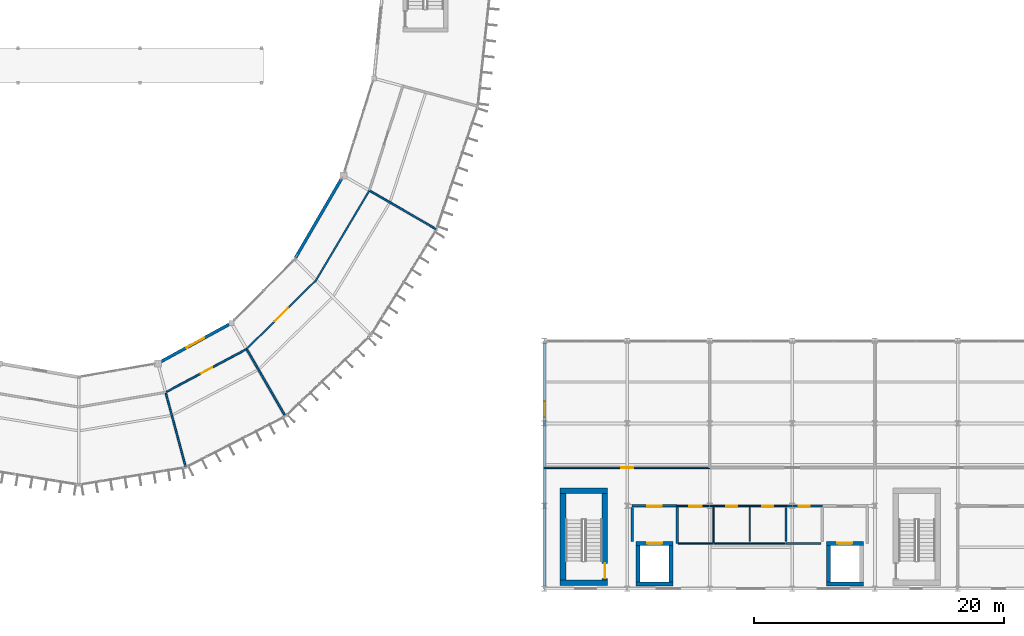
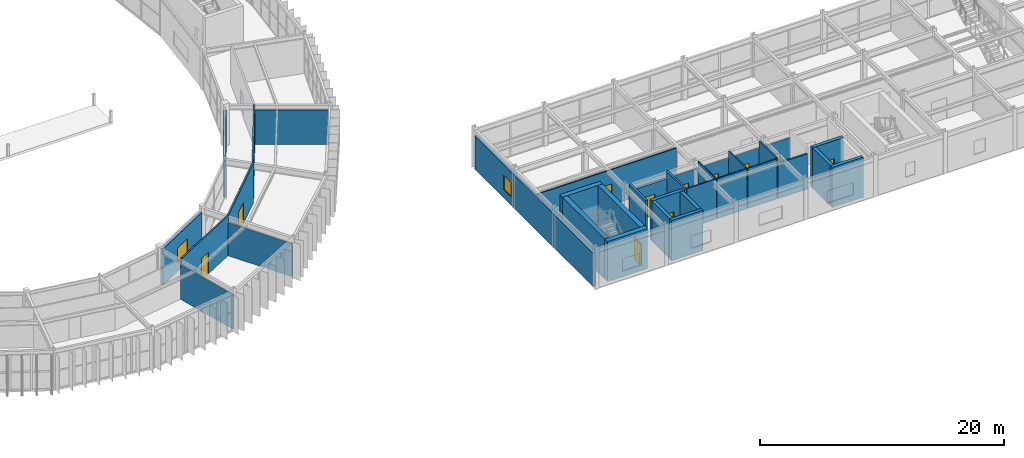
# One storey, part 139 of 157: 35 walls, 11 doors, 2 windows, 13 openings.
"""IFC4 building model written with IfcOpenShell, lengths in metres."""

from ifc_helpers import new_model, si_unit, direction, frame, frame_2d, origin, place, context, subcontext, project, spatial, rectangle, extrude, material, layer, layer_set, type_object, element, fill, save


model = new_model("IFC4")

# Units and contexts
model_context = context("Model", 3, precision=1e-05, world=origin(), true_north=direction((0.0, 1.0)))
body_context = subcontext(model_context, "Body", "Model", "MODEL_VIEW")
ifc_project = project(units=[si_unit("LENGTHUNIT", "METRE"), si_unit("AREAUNIT", "SQUARE_METRE"), si_unit("VOLUMEUNIT", "CUBIC_METRE"), si_unit("PLANEANGLEUNIT", "RADIAN"), si_unit("MASSUNIT", "GRAM", prefix="KILO")], contexts=[model_context])

# Site, building, storey
site_placement = place(None, origin())
site = spatial("IfcSite", under=ifc_project, at=site_placement, CompositionType="ELEMENT")
building_placement = place(site_placement, origin())
building = spatial("IfcBuilding", under=site, at=building_placement, Name="Karori Crest Natural Sciences Institute", CompositionType="ELEMENT")
storey_placement = place(building_placement, frame((0.0, 0.0, 13.300048828125)))
storey = spatial("IfcBuildingStorey", under=building, at=storey_placement, Name="L03", CompositionType="ELEMENT", Elevation=13.300048828125)

# Walls
ifc_material_1 = material(Name="Concrete 50 MPa", Category="concrete")
ifc_layer_1 = layer(ifc_material_1, 0.449951171875, Name="Concrete 50 MPa")
ifc_layer_set_1 = layer_set([ifc_layer_1], Name="Concrete 50 MPa")
wall_type_1 = type_object("IfcWallType", Name="IWT-01", PredefinedType="SHEAR", material=ifc_layer_set_1)
for number, where, z_axis, x_axis, name in (
    (1, (104.85009765625, 1.27490234375, 0.0), (0.0, 0.0, 1.0), (1.0, 0.0, 0.0), "Shear wall IW-0085"),
    (2, (104.85009765625, 8.625, 0.0), (0.0, 0.0, 1.0), (1.0, 0.0, 0.0), "Shear wall IW-0086"),
):
    element("IfcWall", number, at=place(storey_placement, frame(where, z_axis=z_axis, x_axis=x_axis)), inside=storey, type_object=wall_type_1, Name=name, PredefinedType="SHEAR", context=body_context, shape_type="SweptSolid", body=[
        extrude(rectangle(XDim=3.7998046875, YDim=0.449951171875, at=frame_2d((1.89990234375, 0.0))), origin(), (0.0, 0.0, 1.0), 4.02001953125),
    ])
wall_1_placement = place(storey_placement, frame((105.074951171875, 1.501953125, 0.0), z_axis=(0.0, 0.0, 1.0), x_axis=(0.0, 1.0, 0.0)))
element("IfcWall", 3, at=wall_1_placement, inside=storey, type_object=wall_type_1, Name="Shear wall IW-0087", PredefinedType="SHEAR", context=body_context, shape_type="SweptSolid", body=[
    extrude(rectangle(XDim=6.89599609375, YDim=0.449951171875, at=frame_2d((3.447998046875, 0.0))), origin(), (0.0, 0.0, 1.0), 4.02001953125),
])

# Wall, opening, door
wall_2_placement = place(storey_placement, frame((108.425048828125, 1.501953125, 0.0), z_axis=(0.0, 0.0, 1.0), x_axis=(0.0, 1.0, 0.0)))
wall_2 = element("IfcWall", 4, at=wall_2_placement, inside=storey, type_object=wall_type_1, Name="Shear wall IW-0088", PredefinedType="SHEAR", context=body_context, shape_type="SweptSolid", body=[
    extrude(rectangle(XDim=6.89599609375, YDim=0.449951171875, at=frame_2d((3.447998046875, 0.0))), origin(), (0.0, 0.0, 1.0), 4.02001953125),
])
opening_1_placement = place(wall_2_placement, frame((0.1201171875, 0.0, 0.0)))
opening_1 = element("IfcOpeningElement", 5, at=opening_1_placement, cuts=wall_2, Name="Opening ID-0022", PredefinedType="OPENING", context=body_context, shape_type="SweptSolid", body=[
    extrude(rectangle(XDim=1.199951171875, YDim=2.14990234375, at=frame_2d((0.60009765625, 1.074951171875))), frame((0.0, 0.23486328125, 0.0), z_axis=(0.0, -1.0, 0.0), x_axis=(1.0, 0.0, 0.0)), (0.0, 0.0, 1.0), 0.469970703125),
])
ifc_material_2 = material(Name="Stainless steel 316 and fire-rated timber", Category="steel")
door_type_1 = type_object("IfcDoorType", Name="IDT-01", OperationType="NOTDEFINED", PredefinedType="DOOR", material=ifc_material_2)
door_1_placement = place(opening_1_placement, origin())
door_1 = element("IfcDoor", 6, at=door_1_placement, inside=storey, type_object=door_type_1, Name="Stair ST-03 fire door ID-0022", OperationType="SINGLE_SWING_RIGHT", OverallHeight=2.14990234375, OverallWidth=1.199951171875, PredefinedType="DOOR", context=body_context, shape_type="SweptSolid", body=[
    extrude(rectangle(XDim=1.199951171875, YDim=2.14990234375, at=frame_2d((0.60009765625, 1.074951171875))), frame((0.0, 0.02490234375, 0.0), z_axis=(0.0, -1.0, 0.0), x_axis=(1.0, 0.0, 0.0)), (0.0, 0.0, 1.0), 0.050048828125),
])
fill(opening_1, door_1)

# Wall
ifc_layer_2 = layer(ifc_material_1, 0.320068359375, Name="Concrete 50 MPa")
ifc_layer_set_2 = layer_set([ifc_layer_2], Name="Concrete 50 MPa")
wall_type_2 = type_object("IfcWallType", Name="IWT-03", PredefinedType="SHEAR", material=ifc_layer_set_2)
wall_3_placement = place(storey_placement, frame((110.919921875, 1.179931640625, 0.0), z_axis=(0.0, 0.0, 1.0), x_axis=(1.0, 0.0, 0.0)))
element("IfcWall", 7, at=wall_3_placement, inside=storey, type_object=wall_type_2, Name="Shear wall IW-0321", PredefinedType="SHEAR", context=body_context, shape_type="SweptSolid", body=[
    extrude(rectangle(XDim=2.9599609375, YDim=0.320068359375, at=frame_2d((1.47998046875, 0.0))), origin(), (0.0, 0.0, 1.0), 4.02001953125),
])

# Wall, opening, door
wall_4_placement = place(storey_placement, frame((110.919921875, 4.419921875, 0.0), z_axis=(0.0, 0.0, 1.0), x_axis=(1.0, 0.0, 0.0)))
wall_4 = element("IfcWall", 8, at=wall_4_placement, inside=storey, type_object=wall_type_2, Name="Shear wall IW-0322", PredefinedType="SHEAR", context=body_context, shape_type="SweptSolid", body=[
    extrude(rectangle(XDim=2.9599609375, YDim=0.320068359375, at=frame_2d((1.47998046875, 0.0))), origin(), (0.0, 0.0, 1.0), 4.02001953125),
])
opening_2_placement = place(wall_4_placement, frame((0.8798828125, 0.0, 0.0)))
opening_2 = element("IfcOpeningElement", 9, at=opening_2_placement, cuts=wall_4, Name="Opening LD-0005", PredefinedType="OPENING", context=body_context, shape_type="SweptSolid", body=[
    extrude(rectangle(XDim=1.199951171875, YDim=2.199951171875, at=frame_2d((0.60009765625, 1.10009765625))), frame((0.0, 0.169921875, 0.0), z_axis=(0.0, -1.0, 0.0), x_axis=(1.0, 0.0, 0.0)), (0.0, 0.0, 1.0), 0.340087890625),
])
door_type_2 = type_object("IfcDoorType", Name="LDT-02", OperationType="SLIDING_TO_LEFT", PredefinedType="DOOR", material=ifc_material_2)
door_2_placement = place(opening_2_placement, origin())
door_2 = element("IfcDoor", 10, at=door_2_placement, inside=storey, type_object=door_type_2, Name="Lift LF-01 landing door LD-0005", OperationType="SLIDING_TO_LEFT", OverallHeight=2.199951171875, OverallWidth=1.199951171875, PredefinedType="DOOR", context=body_context, shape_type="SweptSolid", body=[
    extrude(rectangle(XDim=1.199951171875, YDim=2.199951171875, at=frame_2d((0.60009765625, 1.10009765625))), frame((0.0, 0.02490234375, 0.0), z_axis=(0.0, -1.0, 0.0), x_axis=(1.0, 0.0, 0.0)), (0.0, 0.0, 1.0), 0.050048828125),
])
fill(opening_2, door_2)

# Walls
for number, where, z_axis, x_axis, name in (
    (11, (111.080078125, 1.342041015625, 0.0), (0.0, 0.0, 1.0), (0.0, 1.0, 0.0), "Shear wall IW-0323"),
    (12, (113.719970703125, 1.342041015625, 0.0), (0.0, 0.0, 1.0), (0.0, 1.0, 0.0), "Shear wall IW-0324"),
):
    element("IfcWall", number, at=place(storey_placement, frame(where, z_axis=z_axis, x_axis=x_axis)), inside=storey, type_object=wall_type_2, Name=name, PredefinedType="SHEAR", context=body_context, shape_type="SweptSolid", body=[
        extrude(rectangle(XDim=2.916015625, YDim=0.320068359375, at=frame_2d((1.4580078125, 0.0))), origin(), (0.0, 0.0, 1.0), 4.02001953125),
    ])
wall_5_placement = place(storey_placement, frame((126.1201171875, 1.179931640625, 0.0), z_axis=(0.0, 0.0, 1.0), x_axis=(1.0, 0.0, 0.0)))
element("IfcWall", 13, at=wall_5_placement, inside=storey, type_object=wall_type_2, Name="Shear wall IW-0369", PredefinedType="SHEAR", context=body_context, shape_type="SweptSolid", body=[
    extrude(rectangle(XDim=2.9599609375, YDim=0.320068359375, at=frame_2d((1.47998046875, 0.0))), origin(), (0.0, 0.0, 1.0), 4.02001953125),
])

# Wall, opening, door
wall_6_placement = place(storey_placement, frame((126.1201171875, 4.419921875, 0.0), z_axis=(0.0, 0.0, 1.0), x_axis=(1.0, 0.0, 0.0)))
wall_6 = element("IfcWall", 14, at=wall_6_placement, inside=storey, type_object=wall_type_2, Name="Shear wall IW-0370", PredefinedType="SHEAR", context=body_context, shape_type="SweptSolid", body=[
    extrude(rectangle(XDim=2.9599609375, YDim=0.320068359375, at=frame_2d((1.47998046875, 0.0))), origin(), (0.0, 0.0, 1.0), 4.02001953125),
])
opening_3_placement = place(wall_6_placement, frame((0.8798828125, 0.0, 0.0)))
opening_3 = element("IfcOpeningElement", 15, at=opening_3_placement, cuts=wall_6, Name="Opening LD-0017", PredefinedType="OPENING", context=body_context, shape_type="SweptSolid", body=[
    extrude(rectangle(XDim=1.199951171875, YDim=2.199951171875, at=frame_2d((0.60009765625, 1.10009765625))), frame((0.0, 0.169921875, 0.0), z_axis=(0.0, -1.0, 0.0), x_axis=(1.0, 0.0, 0.0)), (0.0, 0.0, 1.0), 0.340087890625),
])
door_3_placement = place(opening_3_placement, origin())
door_3 = element("IfcDoor", 16, at=door_3_placement, inside=storey, type_object=door_type_2, Name="Lift LF-02 landing door LD-0017", OperationType="SLIDING_TO_LEFT", OverallHeight=2.199951171875, OverallWidth=1.199951171875, PredefinedType="DOOR", context=body_context, shape_type="SweptSolid", body=[
    extrude(rectangle(XDim=1.199951171875, YDim=2.199951171875, at=frame_2d((0.60009765625, 1.10009765625))), frame((0.0, 0.02490234375, 0.0), z_axis=(0.0, -1.0, 0.0), x_axis=(1.0, 0.0, 0.0)), (0.0, 0.0, 1.0), 0.050048828125),
])
fill(opening_3, door_3)

# Wall
wall_7_placement = place(storey_placement, frame((126.280029296875, 1.342041015625, 0.0), z_axis=(0.0, 0.0, 1.0), x_axis=(0.0, 1.0, 0.0)))
element("IfcWall", 17, at=wall_7_placement, inside=storey, type_object=wall_type_2, Name="Shear wall IW-0371", PredefinedType="SHEAR", context=body_context, shape_type="SweptSolid", body=[
    extrude(rectangle(XDim=2.916015625, YDim=0.320068359375, at=frame_2d((1.4580078125, 0.0))), origin(), (0.0, 0.0, 1.0), 4.02001953125),
])

# Wall, opening, door
ifc_material_3 = material(Name="Concrete 40 MPa", Category="concrete")
ifc_layer_3 = layer(ifc_material_3, 0.199951171875, Name="Concrete 40 MPa")
ifc_layer_set_3 = layer_set([ifc_layer_3], Name="Concrete 40 MPa")
wall_type_3 = type_object("IfcWallType", Name="IWT-04", PredefinedType="SOLIDWALL", material=ifc_layer_set_3)
wall_8_placement = place(storey_placement, frame((110.60009765625, 7.39990234375, 0.0), z_axis=(0.0, 0.0, 1.0), x_axis=(1.0, 0.0, 0.0)))
wall_8 = element("IfcWall", 18, at=wall_8_placement, inside=storey, type_object=wall_type_3, Name="Partition wall IW-0662", PredefinedType="SOLIDWALL", context=body_context, shape_type="SweptSolid", body=[
    extrude(rectangle(XDim=3.599853515625, YDim=0.199951171875, at=frame_2d((1.7998046875, 0.0))), origin(), (0.0, 0.0, 1.0), 3.29296875),
])
opening_4_placement = place(wall_8_placement, frame((1.22509765625, 0.0, 0.0)))
opening_4 = element("IfcOpeningElement", 19, at=opening_4_placement, cuts=wall_8, Name="Opening ID-0124", PredefinedType="OPENING", context=body_context, shape_type="SweptSolid", body=[
    extrude(rectangle(XDim=1.14990234375, YDim=2.14990234375, at=frame_2d((0.574951171875, 1.074951171875))), frame((0.0, 0.10986328125, 0.0), z_axis=(0.0, -1.0, 0.0), x_axis=(1.0, 0.0, 0.0)), (0.0, 0.0, 1.0), 0.219970703125),
])
door_type_3 = type_object("IfcDoorType", Name="IDT-02", OperationType="NOTDEFINED", PredefinedType="DOOR", material=ifc_material_2)
door_4_placement = place(opening_4_placement, origin())
door_4 = element("IfcDoor", 20, at=door_4_placement, inside=storey, type_object=door_type_3, Name="Firefighting Lift Lobby West door ID-0124", OperationType="SINGLE_SWING_LEFT", OverallHeight=2.14990234375, OverallWidth=1.14990234375, PredefinedType="DOOR", context=body_context, shape_type="SweptSolid", body=[
    extrude(rectangle(XDim=1.14990234375, YDim=2.14990234375, at=frame_2d((0.574951171875, 1.074951171875))), frame((0.0, 0.02490234375, 0.0), z_axis=(0.0, -1.0, 0.0), x_axis=(1.0, 0.0, 0.0)), (0.0, 0.0, 1.0), 0.050048828125),
])
fill(opening_4, door_4)

# Walls
wall_9_placement = place(storey_placement, frame((110.60009765625, 4.58203125, 0.0), z_axis=(0.0, 0.0, 1.0), x_axis=(0.0, 1.0, 0.0)))
element("IfcWall", 21, at=wall_9_placement, inside=storey, type_object=wall_type_3, Name="Partition wall IW-0663", PredefinedType="SOLIDWALL", context=body_context, shape_type="SweptSolid", body=[
    extrude(rectangle(XDim=2.716064453125, YDim=0.199951171875, at=frame_2d((1.35791015625, 0.0))), origin(), (0.0, 0.0, 1.0), 4.02001953125),
])
wall_10_placement = place(storey_placement, frame((114.199951171875, 4.39990234375, 0.0), z_axis=(0.0, 0.0, 1.0), x_axis=(0.0, 1.0, 0.0)))
element("IfcWall", 22, at=wall_10_placement, inside=storey, type_object=wall_type_3, Name="Partition wall IW-0664", PredefinedType="SOLIDWALL", context=body_context, shape_type="SweptSolid", body=[
    extrude(rectangle(XDim=3.0, YDim=0.199951171875, at=frame_2d((1.5, 0.0))), origin(), (0.0, 0.0, 1.0), 4.02001953125),
])
ifc_material_4 = material(Name="Acoustic steel-stud fireboard partition", Category="steel")
ifc_layer_4 = layer(ifc_material_4, 0.159912109375, Name="Acoustic steel-stud fireboard partition")
ifc_layer_set_4 = layer_set([ifc_layer_4], Name="Acoustic steel-stud fireboard partition")
wall_type_4 = type_object("IfcWallType", Name="IWT-05", PredefinedType="PARTITIONING", material=ifc_layer_set_4)
wall_11_placement = place(storey_placement, frame((122.89990234375, 4.39990234375, 0.0), z_axis=(0.0, 0.0, 1.0), x_axis=(1.0, 0.0, 0.0)))
element("IfcWall", 23, at=wall_11_placement, inside=storey, type_object=wall_type_4, Name="Partition wall IW-0668", PredefinedType="PARTITIONING", context=body_context, shape_type="SweptSolid", body=[
    extrude(rectangle(XDim=2.798095703125, YDim=0.159912109375, at=frame_2d((1.39892578125, 0.0))), origin(), (0.0, 0.0, 1.0), 3.5458984375),
])

# Wall, opening, door
wall_12_placement = place(storey_placement, frame((122.89990234375, 7.39990234375, 0.0), z_axis=(0.0, 0.0, 1.0), x_axis=(1.0, 0.0, 0.0)))
wall_12 = element("IfcWall", 24, at=wall_12_placement, inside=storey, type_object=wall_type_4, Name="Partition wall IW-0669", PredefinedType="PARTITIONING", context=body_context, shape_type="SweptSolid", body=[
    extrude(rectangle(XDim=2.898193359375, YDim=0.159912109375, at=frame_2d((1.44921875, 0.0))), origin(), (0.0, 0.0, 1.0), 3.29296875),
])
opening_5_placement = place(wall_12_placement, frame((0.9990234375, 0.0, 0.0)))
opening_5 = element("IfcOpeningElement", 25, at=opening_5_placement, cuts=wall_12, Name="Opening ID-0126", PredefinedType="OPENING", context=body_context, shape_type="SweptSolid", body=[
    extrude(rectangle(XDim=0.89990234375, YDim=2.10009765625, at=frame_2d((0.449951171875, 1.050048828125))), frame((0.0, 0.08984375, 0.0), z_axis=(0.0, -1.0, 0.0), x_axis=(1.0, 0.0, 0.0)), (0.0, 0.0, 1.0), 0.179931640625),
])
door_type_4 = type_object("IfcDoorType", Name="IDT-07", OperationType="NOTDEFINED", PredefinedType="DOOR", material=ifc_material_2)
door_5_placement = place(opening_5_placement, origin())
door_5 = element("IfcDoor", 26, at=door_5_placement, inside=storey, type_object=door_type_4, Name="Research Archive Store door ID-0126", OperationType="SINGLE_SWING_LEFT", OverallHeight=2.10009765625, OverallWidth=0.89990234375, PredefinedType="DOOR", context=body_context, shape_type="SweptSolid", body=[
    extrude(rectangle(XDim=0.89990234375, YDim=2.10009765625, at=frame_2d((0.449951171875, 1.050048828125))), frame((0.0, 0.02490234375, 0.0), z_axis=(0.0, -1.0, 0.0), x_axis=(1.0, 0.0, 0.0)), (0.0, 0.0, 1.0), 0.050048828125),
])
fill(opening_5, door_5)

# Walls
wall_13_placement = place(storey_placement, frame((122.89990234375, 4.58203125, 0.0), z_axis=(0.0, 0.0, 1.0), x_axis=(0.0, 1.0, 0.0)))
element("IfcWall", 27, at=wall_13_placement, inside=storey, type_object=wall_type_4, Name="Partition wall IW-0670", PredefinedType="PARTITIONING", context=body_context, shape_type="SweptSolid", body=[
    extrude(rectangle(XDim=2.716064453125, YDim=0.159912109375, at=frame_2d((1.35791015625, 0.0))), origin(), (0.0, 0.0, 1.0), 4.02001953125),
])
ifc_material_5 = material(Name="Laboratory acoustic drywall partition")
ifc_layer_5 = layer(ifc_material_5, 0.139892578125, Name="Laboratory acoustic drywall partition")
ifc_layer_set_5 = layer_set([ifc_layer_5], Name="Laboratory acoustic drywall partition")
wall_type_5 = type_object("IfcWallType", Name="IWT-07", PredefinedType="PARTITIONING", material=ifc_layer_set_5)
wall_14_placement = place(storey_placement, frame((73.357177734375, 16.401611328125, 0.0), z_axis=(0.0, 0.0, 1.0), x_axis=(0.258805895167, -0.965929349708, 0.0)))
element("IfcWall", 28, at=wall_14_placement, inside=storey, type_object=wall_type_5, Name="Partition wall IW-1319", PredefinedType="PARTITIONING", context=body_context, shape_type="SweptSolid", body=[
    extrude(rectangle(XDim=6.06005859375, YDim=0.139892578125, at=frame_2d((3.030029296875, 0.0))), origin(), (0.0, 0.0, 1.0), 3.46484375),
])

# Wall, opening, door
wall_15_placement = place(storey_placement, frame((73.401611328125, 16.513916015625, 0.0), z_axis=(0.0, 0.0, 1.0), x_axis=(0.881829873621, 0.471567676999, 0.0)))
wall_15 = element("IfcWall", 29, at=wall_15_placement, inside=storey, type_object=wall_type_5, Name="Partition wall IW-1320", PredefinedType="PARTITIONING", context=body_context, shape_type="SweptSolid", body=[
    extrude(rectangle(XDim=7.255859375, YDim=0.139892578125, at=frame_2d((3.6279296875, 0.0))), origin(), (0.0, 0.0, 1.0), 3.97998046875),
])
opening_6_placement = place(wall_15_placement, frame((3.10302734375, 0.0, 0.0)))
opening_6 = element("IfcOpeningElement", 30, at=opening_6_placement, cuts=wall_15, Name="Opening ID-0412", PredefinedType="OPENING", context=body_context, shape_type="SweptSolid", body=[
    extrude(rectangle(XDim=1.050048828125, YDim=2.14990234375, at=frame_2d((0.52490234375, 1.074951171875))), frame((0.0, 0.080078125, 0.0), z_axis=(0.0, -1.0, 0.0), x_axis=(1.0, 0.0, 0.0)), (0.0, 0.0, 1.0), 0.159912109375),
])
door_type_5 = type_object("IfcDoorType", Name="IDT-03", OperationType="NOTDEFINED", PredefinedType="DOOR", material=ifc_material_2)
door_6_placement = place(opening_6_placement, origin())
door_6 = element("IfcDoor", 31, at=door_6_placement, inside=storey, type_object=door_type_5, Name="Paleoclimate Core Analysis Laboratory door ID-0412", OperationType="SINGLE_SWING_LEFT", OverallHeight=2.14990234375, OverallWidth=1.050048828125, PredefinedType="DOOR", context=body_context, shape_type="SweptSolid", body=[
    extrude(rectangle(XDim=1.050048828125, YDim=2.14990234375, at=frame_2d((0.52490234375, 1.074951171875))), frame((0.0, 0.02490234375, 0.0), z_axis=(0.0, -1.0, 0.0), x_axis=(1.0, 0.0, 0.0)), (0.0, 0.0, 1.0), 0.050048828125),
])
fill(opening_6, door_6)

# Wall
wall_16_placement = place(storey_placement, frame((79.840087890625, 19.8662109375, 0.0), z_axis=(0.0, 0.0, 1.0), x_axis=(0.500008418462, -0.866020543329, 0.0)))
element("IfcWall", 32, at=wall_16_placement, inside=storey, type_object=wall_type_5, Name="Partition wall IW-1321", PredefinedType="PARTITIONING", context=body_context, shape_type="SweptSolid", body=[
    extrude(rectangle(XDim=6.06005859375, YDim=0.139892578125, at=frame_2d((3.030029296875, 0.0))), origin(), (0.0, 0.0, 1.0), 3.31298828125),
])

# Wall, opening, door
wall_17_placement = place(storey_placement, frame((79.801513671875, 19.93701171875, 0.0), z_axis=(0.0, 0.0, 1.0), x_axis=(0.710427757183, 0.703770134222, 0.0)))
wall_17 = element("IfcWall", 33, at=wall_17_placement, inside=storey, type_object=wall_type_5, Name="Partition wall IW-1322", PredefinedType="PARTITIONING", context=body_context, shape_type="SweptSolid", body=[
    extrude(rectangle(XDim=7.810791015625, YDim=0.139892578125, at=frame_2d((3.9052734375, 0.0))), origin(), (0.0, 0.0, 1.0), 3.97998046875),
])
opening_7_placement = place(wall_17_placement, frame((3.155517578125, 0.0, 0.0)))
opening_7 = element("IfcOpeningElement", 34, at=opening_7_placement, cuts=wall_17, Name="Opening ID-0413", PredefinedType="OPENING", context=body_context, shape_type="SweptSolid", body=[
    extrude(rectangle(XDim=1.5, YDim=2.14990234375, at=frame_2d((0.75, 1.074951171875))), frame((0.0, 0.080078125, 0.0), z_axis=(0.0, -1.0, 0.0), x_axis=(1.0, 0.0, 0.0)), (0.0, 0.0, 1.0), 0.159912109375),
])
door_type_6 = type_object("IfcDoorType", Name="IDT-05", OperationType="DOUBLE_DOOR_SINGLE_SWING", PredefinedType="DOOR", material=ifc_material_2)
door_7_placement = place(opening_7_placement, origin())
door_7 = element("IfcDoor", 35, at=door_7_placement, inside=storey, type_object=door_type_6, Name="Dry Optics Physics Laboratory door ID-0413", OperationType="DOUBLE_DOOR_SINGLE_SWING", OverallHeight=2.14990234375, OverallWidth=1.5, PredefinedType="DOOR", context=body_context, shape_type="SweptSolid", body=[
    extrude(rectangle(XDim=1.5, YDim=2.14990234375, at=frame_2d((0.75, 1.074951171875))), frame((0.0, 0.02490234375, 0.0), z_axis=(0.0, -1.0, 0.0), x_axis=(1.0, 0.0, 0.0)), (0.0, 0.0, 1.0), 0.050048828125),
])
fill(opening_7, door_7)

# Walls
wall_18_placement = place(storey_placement, frame((85.3515625, 25.435791015625, 0.0), z_axis=(0.0, 0.0, 1.0), x_axis=(0.510915698067, 0.859630821614, 0.0)))
element("IfcWall", 36, at=wall_18_placement, inside=storey, type_object=wall_type_5, Name="Partition wall IW-1323", PredefinedType="PARTITIONING", context=body_context, shape_type="SweptSolid", body=[
    extrude(rectangle(XDim=8.334228515625, YDim=0.139892578125, at=frame_2d((4.1669921875, 0.0))), origin(), (0.0, 0.0, 1.0), 3.97998046875),
])
wall_19_placement = place(storey_placement, frame((89.6787109375, 32.56005859375, 0.0), z_axis=(0.0, 0.0, 1.0), x_axis=(0.866020543329, -0.500008418462, 0.0)))
element("IfcWall", 37, at=wall_19_placement, inside=storey, type_object=wall_type_5, Name="Partition wall IW-1324", PredefinedType="PARTITIONING", context=body_context, shape_type="SweptSolid", body=[
    extrude(rectangle(XDim=6.06005859375, YDim=0.139892578125, at=frame_2d((3.030029296875, 0.0))), origin(), (0.0, 0.0, 1.0), 3.470947265625),
])

# Wall, opening, door
ifc_material_6 = material(Name="Write-up office acoustic partition")
ifc_layer_6 = layer(ifc_material_6, 0.1201171875, Name="Write-up office acoustic partition")
ifc_layer_set_6 = layer_set([ifc_layer_6], Name="Write-up office acoustic partition")
wall_type_6 = type_object("IfcWallType", Name="IWT-08", PredefinedType="PARTITIONING", material=ifc_layer_set_6)
wall_20_placement = place(storey_placement, frame((103.60009765625, 10.449951171875, 0.0), z_axis=(0.0, 0.0, 1.0), x_axis=(1.0, 0.0, 0.0)))
wall_20 = element("IfcWall", 38, at=wall_20_placement, inside=storey, type_object=wall_type_6, Name="Partition wall IW-0683", PredefinedType="PARTITIONING", context=body_context, shape_type="SweptSolid", body=[
    extrude(rectangle(XDim=13.199951171875, YDim=0.1201171875, at=frame_2d((6.60009765625, 0.0))), origin(), (0.0, 0.0, 1.0), 3.5458984375),
])
opening_8_placement = place(wall_20_placement, frame((6.125, 0.0, 0.0)))
opening_8 = element("IfcOpeningElement", 39, at=opening_8_placement, cuts=wall_20, Name="Opening ID-0132", PredefinedType="OPENING", context=body_context, shape_type="SweptSolid", body=[
    extrude(rectangle(XDim=0.949951171875, YDim=2.10009765625, at=frame_2d((0.47509765625, 1.050048828125))), frame((0.0, 0.070068359375, 0.0), z_axis=(0.0, -1.0, 0.0), x_axis=(1.0, 0.0, 0.0)), (0.0, 0.0, 1.0), 0.14013671875),
])
ifc_material_7 = material(Name="Anodised aluminium and acoustic timber", Category="wood")
door_type_7 = type_object("IfcDoorType", Name="IDT-08", OperationType="NOTDEFINED", PredefinedType="DOOR", material=ifc_material_7)
door_8_placement = place(opening_8_placement, origin())
door_8 = element("IfcDoor", 40, at=door_8_placement, inside=storey, type_object=door_type_7, Name="Senior Fellow Write-Up Office door ID-0132", OperationType="SINGLE_SWING_LEFT", OverallHeight=2.10009765625, OverallWidth=0.949951171875, PredefinedType="DOOR", context=body_context, shape_type="SweptSolid", body=[
    extrude(rectangle(XDim=0.949951171875, YDim=2.10009765625, at=frame_2d((0.47509765625, 1.050048828125))), frame((0.0, 0.02490234375, 0.0), z_axis=(0.0, -1.0, 0.0), x_axis=(1.0, 0.0, 0.0)), (0.0, 0.0, 1.0), 0.050048828125),
])
fill(opening_8, door_8)

# Wall
ifc_material_8 = material(Name="Washroom moisture-resistant partition")
ifc_layer_7 = layer(ifc_material_8, 0.10009765625, Name="Washroom moisture-resistant partition")
ifc_layer_set_7 = layer_set([ifc_layer_7], Name="Washroom moisture-resistant partition")
wall_type_7 = type_object("IfcWallType", Name="IWT-09", PredefinedType="PARTITIONING", material=ifc_layer_set_7)
wall_21_placement = place(storey_placement, frame((114.302001953125, 4.39990234375, 0.0), z_axis=(0.0, 0.0, 1.0), x_axis=(1.0, 0.0, 0.0)))
element("IfcWall", 41, at=wall_21_placement, inside=storey, type_object=wall_type_7, Name="Partition wall IW-0671", PredefinedType="PARTITIONING", context=body_context, shape_type="SweptSolid", body=[
    extrude(rectangle(XDim=2.798095703125, YDim=0.10009765625, at=frame_2d((1.39892578125, 0.0))), origin(), (0.0, 0.0, 1.0), 4.02001953125),
])

# Wall, opening, door
wall_22_placement = place(storey_placement, frame((114.201904296875, 7.39990234375, 0.0), z_axis=(0.0, 0.0, 1.0), x_axis=(1.0, 0.0, 0.0)))
wall_22 = element("IfcWall", 42, at=wall_22_placement, inside=storey, type_object=wall_type_7, Name="Partition wall IW-0672", PredefinedType="PARTITIONING", context=body_context, shape_type="SweptSolid", body=[
    extrude(rectangle(XDim=2.898193359375, YDim=0.10009765625, at=frame_2d((1.44921875, 0.0))), origin(), (0.0, 0.0, 1.0), 3.29296875),
])
opening_9_placement = place(wall_22_placement, frame((0.948974609375, 0.0, 0.0)))
opening_9 = element("IfcOpeningElement", 43, at=opening_9_placement, cuts=wall_22, Name="Opening ID-0127", PredefinedType="OPENING", context=body_context, shape_type="SweptSolid", body=[
    extrude(rectangle(XDim=1.0, YDim=2.10009765625, at=frame_2d((0.5, 1.050048828125))), frame((0.0, 0.06005859375, 0.0), z_axis=(0.0, -1.0, 0.0), x_axis=(1.0, 0.0, 0.0)), (0.0, 0.0, 1.0), 0.1201171875),
])
door_type_8 = type_object("IfcDoorType", Name="IDT-09", OperationType="NOTDEFINED", PredefinedType="DOOR", material=ifc_material_7)
door_9_placement = place(opening_9_placement, origin())
door_9 = element("IfcDoor", 44, at=door_9_placement, inside=storey, type_object=door_type_8, Name="Accessible WC door ID-0127", OperationType="SINGLE_SWING_RIGHT", OverallHeight=2.10009765625, OverallWidth=1.0, PredefinedType="DOOR", context=body_context, shape_type="SweptSolid", body=[
    extrude(rectangle(XDim=1.0, YDim=2.10009765625, at=frame_2d((0.5, 1.050048828125))), frame((0.0, 0.02490234375, 0.0), z_axis=(0.0, -1.0, 0.0), x_axis=(1.0, 0.0, 0.0)), (0.0, 0.0, 1.0), 0.050048828125),
])
fill(opening_9, door_9)

# Walls
wall_23_placement = place(storey_placement, frame((117.10009765625, 4.48193359375, 0.0), z_axis=(0.0, 0.0, 1.0), x_axis=(0.0, 1.0, 0.0)))
element("IfcWall", 45, at=wall_23_placement, inside=storey, type_object=wall_type_7, Name="Partition wall IW-0673", PredefinedType="PARTITIONING", context=body_context, shape_type="SweptSolid", body=[
    extrude(rectangle(XDim=2.816162109375, YDim=0.10009765625, at=frame_2d((1.408203125, 0.0))), origin(), (0.0, 0.0, 1.0), 4.02001953125),
])
wall_24_placement = place(storey_placement, frame((117.152099609375, 4.39990234375, 0.0), z_axis=(0.0, 0.0, 1.0), x_axis=(1.0, 0.0, 0.0)))
element("IfcWall", 46, at=wall_24_placement, inside=storey, type_object=wall_type_7, Name="Partition wall IW-0674", PredefinedType="PARTITIONING", context=body_context, shape_type="SweptSolid", body=[
    extrude(rectangle(XDim=2.847900390625, YDim=0.10009765625, at=frame_2d((1.423828125, 0.0))), origin(), (0.0, 0.0, 1.0), 4.02001953125),
])

# Wall, opening, door
wall_25_placement = place(storey_placement, frame((117.10205078125, 7.39990234375, 0.0), z_axis=(0.0, 0.0, 1.0), x_axis=(1.0, 0.0, 0.0)))
wall_25 = element("IfcWall", 47, at=wall_25_placement, inside=storey, type_object=wall_type_7, Name="Partition wall IW-0675", PredefinedType="PARTITIONING", context=body_context, shape_type="SweptSolid", body=[
    extrude(rectangle(XDim=2.89794921875, YDim=0.10009765625, at=frame_2d((1.448974609375, 0.0))), origin(), (0.0, 0.0, 1.0), 3.29296875),
])
opening_10_placement = place(wall_25_placement, frame((1.009033203125, 0.0, 0.0)))
opening_10 = element("IfcOpeningElement", 48, at=opening_10_placement, cuts=wall_25, Name="Opening ID-0128", PredefinedType="OPENING", context=body_context, shape_type="SweptSolid", body=[
    extrude(rectangle(XDim=0.8798828125, YDim=2.080078125, at=frame_2d((0.43994140625, 1.0400390625))), frame((0.0, 0.06005859375, 0.0), z_axis=(0.0, -1.0, 0.0), x_axis=(1.0, 0.0, 0.0)), (0.0, 0.0, 1.0), 0.1201171875),
])
door_type_9 = type_object("IfcDoorType", Name="IDT-10", OperationType="NOTDEFINED", PredefinedType="DOOR", material=ifc_material_7)
door_10_placement = place(opening_10_placement, origin())
door_10 = element("IfcDoor", 49, at=door_10_placement, inside=storey, type_object=door_type_9, Name="Female Washroom WC door ID-0128", OperationType="SINGLE_SWING_LEFT", OverallHeight=2.080078125, OverallWidth=0.8798828125, PredefinedType="DOOR", context=body_context, shape_type="SweptSolid", body=[
    extrude(rectangle(XDim=0.8798828125, YDim=2.080078125, at=frame_2d((0.43994140625, 1.0400390625))), frame((0.0, 0.02490234375, 0.0), z_axis=(0.0, -1.0, 0.0), x_axis=(1.0, 0.0, 0.0)), (0.0, 0.0, 1.0), 0.050048828125),
])
fill(opening_10, door_10)

# Walls
wall_26_placement = place(storey_placement, frame((120.0, 4.58203125, 0.0), z_axis=(0.0, 0.0, 1.0), x_axis=(0.0, 1.0, 0.0)))
element("IfcWall", 50, at=wall_26_placement, inside=storey, type_object=wall_type_7, Name="Partition wall IW-0676", PredefinedType="PARTITIONING", context=body_context, shape_type="SweptSolid", body=[
    extrude(rectangle(XDim=2.716064453125, YDim=0.10009765625, at=frame_2d((1.35791015625, 0.0))), origin(), (0.0, 0.0, 1.0), 4.02001953125),
])
wall_27_placement = place(storey_placement, frame((120.052001953125, 4.39990234375, 0.0), z_axis=(0.0, 0.0, 1.0), x_axis=(1.0, 0.0, 0.0)))
element("IfcWall", 51, at=wall_27_placement, inside=storey, type_object=wall_type_7, Name="Partition wall IW-0677", PredefinedType="PARTITIONING", context=body_context, shape_type="SweptSolid", body=[
    extrude(rectangle(XDim=2.76611328125, YDim=0.10009765625, at=frame_2d((1.383056640625, 0.0))), origin(), (0.0, 0.0, 1.0), 4.02001953125),
])

# Wall, opening, door
wall_28_placement = place(storey_placement, frame((120.001953125, 7.39990234375, 0.0), z_axis=(0.0, 0.0, 1.0), x_axis=(1.0, 0.0, 0.0)))
wall_28 = element("IfcWall", 52, at=wall_28_placement, inside=storey, type_object=wall_type_7, Name="Partition wall IW-0678", PredefinedType="PARTITIONING", context=body_context, shape_type="SweptSolid", body=[
    extrude(rectangle(XDim=2.89599609375, YDim=0.10009765625, at=frame_2d((1.447998046875, 0.0))), origin(), (0.0, 0.0, 1.0), 3.29296875),
])
opening_11_placement = place(wall_28_placement, frame((1.008056640625, 0.0, 0.0)))
opening_11 = element("IfcOpeningElement", 53, at=opening_11_placement, cuts=wall_28, Name="Opening ID-0129", PredefinedType="OPENING", context=body_context, shape_type="SweptSolid", body=[
    extrude(rectangle(XDim=0.8798828125, YDim=2.080078125, at=frame_2d((0.43994140625, 1.0400390625))), frame((0.0, 0.06005859375, 0.0), z_axis=(0.0, -1.0, 0.0), x_axis=(1.0, 0.0, 0.0)), (0.0, 0.0, 1.0), 0.1201171875),
])
door_11_placement = place(opening_11_placement, origin())
door_11 = element("IfcDoor", 54, at=door_11_placement, inside=storey, type_object=door_type_9, Name="Male Washroom WC door ID-0129", OperationType="SINGLE_SWING_RIGHT", OverallHeight=2.080078125, OverallWidth=0.8798828125, PredefinedType="DOOR", context=body_context, shape_type="SweptSolid", body=[
    extrude(rectangle(XDim=0.8798828125, YDim=2.080078125, at=frame_2d((0.43994140625, 1.0400390625))), frame((0.0, 0.02490234375, 0.0), z_axis=(0.0, -1.0, 0.0), x_axis=(1.0, 0.0, 0.0)), (0.0, 0.0, 1.0), 0.050048828125),
])
fill(opening_11, door_11)

# Wall, opening, window
ifc_material_9 = material(Name="Precast concrete 40 MPa", Category="concrete")
ifc_layer_8 = layer(ifc_material_9, 0.239990234375, Name="Precast concrete 40 MPa")
ifc_layer_set_8 = layer_set([ifc_layer_8], Name="Precast concrete 40 MPa")
wall_type_8 = type_object("IfcWallType", Name="WT-04", PredefinedType="SOLIDWALL", material=ifc_layer_set_8)
wall_29_placement = place(storey_placement, frame((72.98828125, 18.946533203125, 0.0), z_axis=(0.0, 0.0, 1.0), x_axis=(0.877477839064, 0.479617182712, 0.0)))
wall_29 = element("IfcWall", 55, at=wall_29_placement, inside=storey, type_object=wall_type_8, Name="Exterior wall EW-0073", PredefinedType="SOLIDWALL", context=body_context, shape_type="SweptSolid", body=[
    extrude(rectangle(XDim=6.16943359375, YDim=0.239990234375, at=frame_2d((3.084716796875, 0.0))), origin(), (0.0, 0.0, 1.0), 3.64990234375),
])
opening_12_placement = place(wall_29_placement, frame((2.28466796875, 0.0, 0.85009765625)))
opening_12 = element("IfcOpeningElement", 56, at=opening_12_placement, cuts=wall_29, Name="Opening WN-0028", PredefinedType="OPENING", context=body_context, shape_type="SweptSolid", body=[
    extrude(rectangle(XDim=1.60009765625, YDim=1.5, at=frame_2d((0.800048828125, 0.75))), frame((0.0, 0.1298828125, 0.0), z_axis=(0.0, -1.0, 0.0), x_axis=(1.0, 0.0, 0.0)), (0.0, 0.0, 1.0), 0.260009765625),
])
ifc_material_10 = material(Name="Double low-E laminated glass", Category="glass")
window_type_1 = type_object("IfcWindowType", Name="WNT-20", PartitioningType="SINGLE_PANEL", PredefinedType="WINDOW", material=ifc_material_10)
window_1_placement = place(opening_12_placement, origin())
window_1 = element("IfcWindow", 57, at=window_1_placement, inside=storey, type_object=window_type_1, Name="Window WN-0028", OverallHeight=1.5, OverallWidth=1.60009765625, PartitioningType="SINGLE_PANEL", PredefinedType="WINDOW", context=body_context, shape_type="SweptSolid", body=[
    extrude(rectangle(XDim=1.60009765625, YDim=1.5, at=frame_2d((0.800048828125, 0.75))), frame((0.0, 0.030029296875, 0.0), z_axis=(0.0, -1.0, 0.0), x_axis=(1.0, 0.0, 0.0)), (0.0, 0.0, 1.0), 0.06005859375),
])
fill(opening_12, window_1)

# Wall
wall_30_placement = place(storey_placement, frame((83.71337890625, 27.234619140625, 0.0), z_axis=(0.0, 0.0, 1.0), x_axis=(0.502677590803, 0.864473967048, 0.0)))
element("IfcWall", 58, at=wall_30_placement, inside=storey, type_object=wall_type_8, Name="Exterior wall EW-0074", PredefinedType="SOLIDWALL", context=body_context, shape_type="SweptSolid", body=[
    extrude(rectangle(XDim=7.2783203125, YDim=0.239990234375, at=frame_2d((3.63916015625, 0.0))), origin(), (0.0, 0.0, 1.0), 3.64990234375),
])

# Wall, opening, window
wall_31_placement = place(storey_placement, frame((103.60009765625, 0.998046875, 0.0), z_axis=(0.0, 0.0, 1.0), x_axis=(0.0, 1.0, 0.0)))
wall_31 = element("IfcWall", 59, at=wall_31_placement, inside=storey, type_object=wall_type_8, Name="Exterior wall EW-0203", PredefinedType="SOLIDWALL", context=body_context, shape_type="SweptSolid", body=[
    extrude(rectangle(XDim=19.404052734375, YDim=0.239990234375, at=frame_2d((9.7021484375, 0.0))), origin(), (0.0, 0.0, 1.0), 3.3720703125),
])
opening_13_placement = place(wall_31_placement, frame((13.5, 0.0, 0.85009765625)))
opening_13 = element("IfcOpeningElement", 60, at=opening_13_placement, cuts=wall_31, Name="Opening WN-0156", PredefinedType="OPENING", context=body_context, shape_type="SweptSolid", body=[
    extrude(rectangle(XDim=1.25, YDim=1.39990234375, at=frame_2d((0.625, 0.699951171875))), frame((0.0, 0.1298828125, 0.0), z_axis=(0.0, -1.0, 0.0), x_axis=(1.0, 0.0, 0.0)), (0.0, 0.0, 1.0), 0.260009765625),
])
window_type_2 = type_object("IfcWindowType", Name="WNT-02", PartitioningType="SINGLE_PANEL", PredefinedType="WINDOW", material=ifc_material_10)
window_2_placement = place(opening_13_placement, origin())
window_2 = element("IfcWindow", 61, at=window_2_placement, inside=storey, type_object=window_type_2, Name="Window WN-0156", OverallHeight=1.39990234375, OverallWidth=1.25, PartitioningType="SINGLE_PANEL", PredefinedType="WINDOW", context=body_context, shape_type="SweptSolid", body=[
    extrude(rectangle(XDim=1.25, YDim=1.39990234375, at=frame_2d((0.625, 0.699951171875))), frame((0.0, 0.030029296875, 0.0), z_axis=(0.0, -1.0, 0.0), x_axis=(1.0, 0.0, 0.0)), (0.0, 0.0, 1.0), 0.06005859375),
])
fill(opening_13, window_2)

save(model, "model.ifc")
